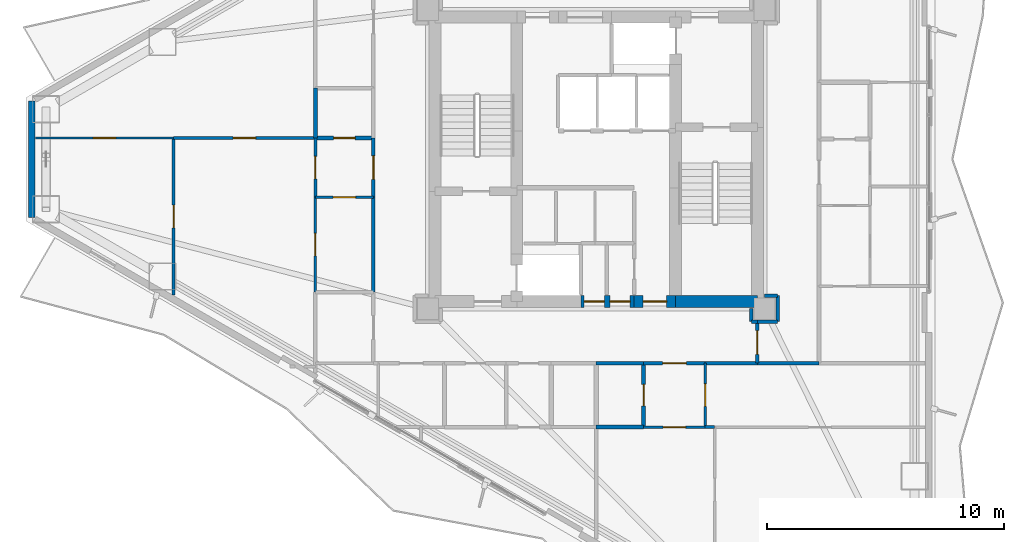
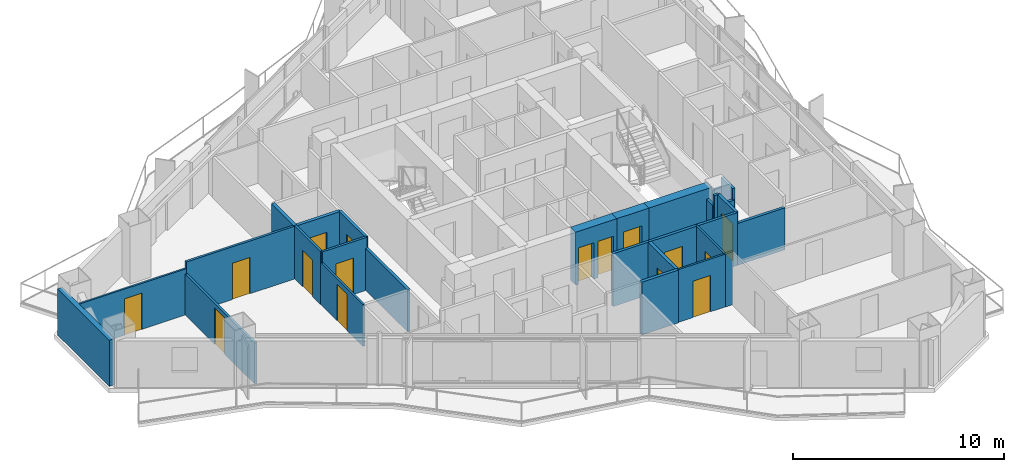
# One storey, part 16 of 23: 29 walls, 16 doors, 16 openings.
"""IFC4 building model written with IfcOpenShell, lengths in metres."""

from ifc_helpers import new_model, si_unit, direction, frame, frame_2d, origin, place, context, subcontext, project, spatial, rectangle, extrude, material, layer, layer_set, type_object, element, fill, save


model = new_model("IFC4")

# Units and contexts
model_context = context("Model", 3, precision=1e-05, world=origin(), true_north=direction((0.0, 1.0)))
body_context = subcontext(model_context, "Body", "Model", "MODEL_VIEW")
ifc_project = project(units=[si_unit("LENGTHUNIT", "METRE"), si_unit("AREAUNIT", "SQUARE_METRE"), si_unit("VOLUMEUNIT", "CUBIC_METRE"), si_unit("PLANEANGLEUNIT", "RADIAN"), si_unit("MASSUNIT", "GRAM", prefix="KILO")], contexts=[model_context])

# Site, building, storey
site_placement = place(None, origin())
site = spatial("IfcSite", under=ifc_project, at=site_placement, CompositionType="ELEMENT")
building_placement = place(site_placement, origin())
building = spatial("IfcBuilding", under=site, at=building_placement, Name="Mersakhor Tower and Convention Hall", CompositionType="ELEMENT")
storey_placement = place(building_placement, frame((0.0, 0.0, 73.5)))
storey = spatial("IfcBuildingStorey", under=building, at=storey_placement, Name="L19", CompositionType="ELEMENT", Elevation=73.5)

# Wall
ifc_material_1 = material(Name="Precast concrete C45/55", Category="concrete")
ifc_layer_1 = layer(ifc_material_1, 0.27490234375)
ifc_layer_set_1 = layer_set([ifc_layer_1], Name="Precast concrete C45/55")
wall_type_1 = type_object("IfcWallType", Name="WL-EXT-275", PredefinedType="SOLIDWALL", material=ifc_layer_set_1)
wall_1_placement = place(storey_placement, frame((5.186767578125, 24.292724609375, 0.0), z_axis=(0.0, 0.0, 1.0), x_axis=(0.0, 1.0, 0.0)))
element("IfcWall", 1, at=wall_1_placement, inside=storey, type_object=wall_type_1, Name="L19 Chamfer Braced Spandrel Wall C3", PredefinedType="SOLIDWALL", context=body_context, shape_type="SweptSolid", body=[
    extrude(rectangle(XDim=4.91455078125, YDim=0.27490234375, at=frame_2d((2.457275390625, 0.0))), origin(), (0.0, 0.0, 1.0), 2.669921875),
])

# Wall, opening, door
ifc_material_2 = material(Name="Moisture-resistant acoustic drywall studwork", Category="other")
ifc_layer_2 = layer(ifc_material_2, 0.175048828125)
ifc_layer_set_2 = layer_set([ifc_layer_2], Name="Moisture-resistant acoustic drywall studwork")
wall_type_2 = type_object("IfcWallType", Name="WL-PLM-175", PredefinedType="PLUMBINGWALL", material=ifc_layer_set_2)
wall_2_placement = place(storey_placement, frame((31.0, 15.449951171875, 0.0), z_axis=(0.0, 0.0, 1.0), x_axis=(0.0, 1.0, 0.0)))
wall_2 = element("IfcWall", 2, at=wall_2_placement, inside=storey, type_object=wall_type_2, Name="L19 Interior Partition Wall P-071", PredefinedType="PLUMBINGWALL", context=body_context, shape_type="SweptSolid", body=[
    extrude(rectangle(XDim=2.699951171875, YDim=0.175048828125, at=frame_2d((1.35009765625, 0.0))), origin(), (0.0, 0.0, 1.0), 3.050048828125),
])
opening_1_placement = place(wall_2_placement, frame((0.89990234375, 0.0, 0.0)))
opening_1 = element("IfcOpeningElement", 3, at=opening_1_placement, cuts=wall_2, Name="Opening WD-01", PredefinedType="OPENING", context=body_context, shape_type="SweptSolid", body=[
    extrude(rectangle(XDim=0.89990234375, YDim=2.10009765625, at=frame_2d((0.449951171875, 1.050048828125))), frame((0.0, 0.097412109375, 0.0), z_axis=(0.0, -1.0, 0.0), x_axis=(1.0, 0.0, 0.0)), (0.0, 0.0, 1.0), 0.195068359375),
])
ifc_material_3 = material(Name="Solid-core hardwood leaf in painted steel frame", Category="steel")
door_type_1 = type_object("IfcDoorType", Name="DR-INT-WET-090x210", OperationType="NOTDEFINED", PredefinedType="DOOR", material=ifc_material_3)
door_1_placement = place(opening_1_placement, origin())
door_1 = element("IfcDoor", 4, at=door_1_placement, inside=storey, type_object=door_type_1, Name="L19 L19 Flat S3 Apartment Hall to L19 Flat S3 Bathroom Door", OperationType="SINGLE_SWING_RIGHT", OverallHeight=2.10009765625, OverallWidth=0.89990234375, PredefinedType="DOOR", context=body_context, shape_type="SweptSolid", body=[
    extrude(rectangle(XDim=0.89990234375, YDim=2.10009765625, at=frame_2d((0.449951171875, 1.050048828125))), frame((0.0, 0.02490234375, 0.0), z_axis=(0.0, -1.0, 0.0), x_axis=(1.0, 0.0, 0.0)), (0.0, 0.0, 1.0), 0.050048828125),
])
fill(opening_1, door_1)

wall_3_placement = place(storey_placement, frame((17.14990234375, 27.64990234375, 0.0), z_axis=(0.0, 0.0, 1.0), x_axis=(1.0, 0.0, 0.0)))
wall_3 = element("IfcWall", 5, at=wall_3_placement, inside=storey, type_object=wall_type_2, Name="L19 Interior Partition Wall P-074", PredefinedType="PLUMBINGWALL", context=body_context, shape_type="SweptSolid", body=[
    extrude(rectangle(XDim=2.4501953125, YDim=0.175048828125, at=frame_2d((1.22509765625, 0.0))), origin(), (0.0, 0.0, 1.0), 3.050048828125),
])
opening_2_placement = place(wall_3_placement, frame((0.77490234375, 0.0, 0.0)))
opening_2 = element("IfcOpeningElement", 6, at=opening_2_placement, cuts=wall_3, Name="Opening WD-01", PredefinedType="OPENING", context=body_context, shape_type="SweptSolid", body=[
    extrude(rectangle(XDim=0.89990234375, YDim=2.10009765625, at=frame_2d((0.449951171875, 1.050048828125))), frame((0.0, 0.097412109375, 0.0), z_axis=(0.0, -1.0, 0.0), x_axis=(1.0, 0.0, 0.0)), (0.0, 0.0, 1.0), 0.195068359375),
])
door_2_placement = place(opening_2_placement, origin())
door_2 = element("IfcDoor", 7, at=door_2_placement, inside=storey, type_object=door_type_1, Name="L19 L19 Flat W4 Apartment Hall to L19 Flat W4 Bathroom Door", OperationType="SINGLE_SWING_LEFT", OverallHeight=2.10009765625, OverallWidth=0.89990234375, PredefinedType="DOOR", context=body_context, shape_type="SweptSolid", body=[
    extrude(rectangle(XDim=0.89990234375, YDim=2.10009765625, at=frame_2d((0.449951171875, 1.050048828125))), frame((0.0, 0.02490234375, 0.0), z_axis=(0.0, -1.0, 0.0), x_axis=(1.0, 0.0, 0.0)), (0.0, 0.0, 1.0), 0.050048828125),
])
fill(opening_2, door_2)

# Walls
wall_4_placement = place(storey_placement, frame((31.0, 15.449951171875, 0.0), z_axis=(0.0, 0.0, 1.0), x_axis=(-1.0, 0.0, 0.0)))
element("IfcWall", 8, at=wall_4_placement, inside=storey, type_object=wall_type_2, Name="L19 Interior Partition Wall P-089", PredefinedType="PLUMBINGWALL", context=body_context, shape_type="SweptSolid", body=[
    extrude(rectangle(XDim=2.0, YDim=0.175048828125, at=frame_2d((1.0, 0.0))), origin(), (0.0, 0.0, 1.0), 3.050048828125),
])
wall_5_placement = place(storey_placement, frame((17.14990234375, 27.64990234375, 0.0), z_axis=(0.0, 0.0, 1.0), x_axis=(0.0, 1.0, 0.0)))
element("IfcWall", 9, at=wall_5_placement, inside=storey, type_object=wall_type_2, Name="L19 Interior Partition Wall P-094", PredefinedType="PLUMBINGWALL", context=body_context, shape_type="SweptSolid", body=[
    extrude(rectangle(XDim=2.10009765625, YDim=0.175048828125, at=frame_2d((1.050048828125, 0.0))), origin(), (0.0, 0.0, 1.0), 3.050048828125),
])

# Wall, opening, door
ifc_material_4 = material(Name="Lightweight gypsum partition", Category="other")
ifc_layer_3 = layer(ifc_material_4, 0.10009765625)
ifc_layer_set_3 = layer_set([ifc_layer_3], Name="Lightweight gypsum partition")
wall_type_3 = type_object("IfcWallType", Name="WL-PRT-100", PredefinedType="PARTITIONING", material=ifc_layer_set_3)
wall_6_placement = place(storey_placement, frame((33.60009765625, 15.449951171875, 0.0), z_axis=(0.0, 0.0, 1.0), x_axis=(-1.0, 0.0, 0.0)))
wall_6 = element("IfcWall", 10, at=wall_6_placement, inside=storey, type_object=wall_type_3, Name="L19 Interior Partition Wall P-070", PredefinedType="PARTITIONING", context=body_context, shape_type="SweptSolid", body=[
    extrude(rectangle(XDim=2.60009765625, YDim=0.10009765625, at=frame_2d((1.300048828125, 0.0))), origin(), (0.0, 0.0, 1.0), 3.050048828125),
])
opening_3_placement = place(wall_6_placement, frame((0.824951171875, 0.0, 0.0)))
opening_3 = element("IfcOpeningElement", 11, at=opening_3_placement, cuts=wall_6, Name="Opening RD-01", PredefinedType="OPENING", context=body_context, shape_type="SweptSolid", body=[
    extrude(rectangle(XDim=0.949951171875, YDim=2.10009765625, at=frame_2d((0.47509765625, 1.050048828125))), frame((0.0, 0.06005859375, 0.0), z_axis=(0.0, -1.0, 0.0), x_axis=(1.0, 0.0, 0.0)), (0.0, 0.0, 1.0), 0.1201171875),
])
ifc_material_5 = material(Name="Solid-core hardwood leaf in painted steel frame", Category="steel")
door_type_2 = type_object("IfcDoorType", Name="DR-INT-RM-095x210", OperationType="NOTDEFINED", PredefinedType="DOOR", material=ifc_material_5)
door_3_placement = place(opening_3_placement, origin())
door_3 = element("IfcDoor", 12, at=door_3_placement, inside=storey, type_object=door_type_2, Name="L19 L19 Flat S3 Apartment Hall to L19 Flat S3 Living and Dining Room Door", OperationType="SINGLE_SWING_RIGHT", OverallHeight=2.10009765625, OverallWidth=0.949951171875, PredefinedType="DOOR", context=body_context, shape_type="SweptSolid", body=[
    extrude(rectangle(XDim=0.949951171875, YDim=2.10009765625, at=frame_2d((0.47509765625, 1.050048828125))), frame((0.0, 0.02490234375, 0.0), z_axis=(0.0, -1.0, 0.0), x_axis=(1.0, 0.0, 0.0)), (0.0, 0.0, 1.0), 0.050048828125),
])
fill(opening_3, door_3)

wall_7_placement = place(storey_placement, frame((33.60009765625, 18.14990234375, 0.0), z_axis=(0.0, 0.0, 1.0), x_axis=(0.0, -1.0, 0.0)))
wall_7 = element("IfcWall", 13, at=wall_7_placement, inside=storey, type_object=wall_type_3, Name="L19 Interior Partition Wall P-072", PredefinedType="PARTITIONING", context=body_context, shape_type="SweptSolid", body=[
    extrude(rectangle(XDim=2.699951171875, YDim=0.10009765625, at=frame_2d((1.35009765625, 0.0))), origin(), (0.0, 0.0, 1.0), 3.050048828125),
])
opening_4_placement = place(wall_7_placement, frame((0.875, 0.0, 0.0)))
opening_4 = element("IfcOpeningElement", 14, at=opening_4_placement, cuts=wall_7, Name="Opening RD-01", PredefinedType="OPENING", context=body_context, shape_type="SweptSolid", body=[
    extrude(rectangle(XDim=0.949951171875, YDim=2.10009765625, at=frame_2d((0.47509765625, 1.050048828125))), frame((0.0, 0.06005859375, 0.0), z_axis=(0.0, -1.0, 0.0), x_axis=(1.0, 0.0, 0.0)), (0.0, 0.0, 1.0), 0.1201171875),
])
door_4_placement = place(opening_4_placement, origin())
door_4 = element("IfcDoor", 15, at=door_4_placement, inside=storey, type_object=door_type_2, Name="L19 L19 Flat S3 Apartment Hall to L19 Flat S3 Kitchen Door", OperationType="SINGLE_SWING_LEFT", OverallHeight=2.10009765625, OverallWidth=0.949951171875, PredefinedType="DOOR", context=body_context, shape_type="SweptSolid", body=[
    extrude(rectangle(XDim=0.949951171875, YDim=2.10009765625, at=frame_2d((0.47509765625, 1.050048828125))), frame((0.0, 0.02490234375, 0.0), z_axis=(0.0, -1.0, 0.0), x_axis=(1.0, 0.0, 0.0)), (0.0, 0.0, 1.0), 0.050048828125),
])
fill(opening_4, door_4)

wall_8_placement = place(storey_placement, frame((17.14990234375, 21.14990234375, 0.0), z_axis=(0.0, 0.0, 1.0), x_axis=(0.0, 1.0, 0.0)))
wall_8 = element("IfcWall", 16, at=wall_8_placement, inside=storey, type_object=wall_type_3, Name="L19 Interior Partition Wall P-096", PredefinedType="PARTITIONING", context=body_context, shape_type="SweptSolid", body=[
    extrude(rectangle(XDim=4.0, YDim=0.10009765625, at=frame_2d((2.0, 0.0))), origin(), (0.0, 0.0, 1.0), 2.4228515625),
])
opening_5_placement = place(wall_8_placement, frame((1.52490234375, 0.0, 0.0)))
opening_5 = element("IfcOpeningElement", 17, at=opening_5_placement, cuts=wall_8, Name="Opening RD-01", PredefinedType="OPENING", context=body_context, shape_type="SweptSolid", body=[
    extrude(rectangle(XDim=0.949951171875, YDim=2.10009765625, at=frame_2d((0.47509765625, 1.050048828125))), frame((0.0, 0.06005859375, 0.0), z_axis=(0.0, -1.0, 0.0), x_axis=(1.0, 0.0, 0.0)), (0.0, 0.0, 1.0), 0.1201171875),
])
door_5_placement = place(opening_5_placement, origin())
door_5 = element("IfcDoor", 18, at=door_5_placement, inside=storey, type_object=door_type_2, Name="L19 L19 Flat W4 Kitchen to L19 Flat W4 Dining Room Door", OperationType="SINGLE_SWING_RIGHT", OverallHeight=2.10009765625, OverallWidth=0.949951171875, PredefinedType="DOOR", context=body_context, shape_type="SweptSolid", body=[
    extrude(rectangle(XDim=0.949951171875, YDim=2.10009765625, at=frame_2d((0.47509765625, 1.050048828125))), frame((0.0, 0.02490234375, 0.0), z_axis=(0.0, -1.0, 0.0), x_axis=(1.0, 0.0, 0.0)), (0.0, 0.0, 1.0), 0.050048828125),
])
fill(opening_5, door_5)

wall_9_placement = place(storey_placement, frame((11.169921875, 27.64990234375, 0.0), z_axis=(0.0, 0.0, 1.0), x_axis=(-1.0, 0.0, 0.0)))
wall_9 = element("IfcWall", 19, at=wall_9_placement, inside=storey, type_object=wall_type_3, Name="L19 Interior Partition Wall P-134", PredefinedType="PARTITIONING", context=body_context, shape_type="SweptSolid", body=[
    extrude(rectangle(XDim=5.82177734375, YDim=0.10009765625, at=frame_2d((2.910888671875, 0.0))), origin(), (0.0, 0.0, 1.0), 2.660400390625),
])
opening_6_placement = place(wall_9_placement, frame((2.435791015625, 0.0, 0.0)))
opening_6 = element("IfcOpeningElement", 20, at=opening_6_placement, cuts=wall_9, Name="Opening RD-01", PredefinedType="OPENING", context=body_context, shape_type="SweptSolid", body=[
    extrude(rectangle(XDim=0.949951171875, YDim=2.10009765625, at=frame_2d((0.47509765625, 1.050048828125))), frame((0.0, 0.06005859375, 0.0), z_axis=(0.0, -1.0, 0.0), x_axis=(1.0, 0.0, 0.0)), (0.0, 0.0, 1.0), 0.1201171875),
])
door_6_placement = place(opening_6_placement, origin())
door_6 = element("IfcDoor", 21, at=door_6_placement, inside=storey, type_object=door_type_2, Name="L19 L19 Flat W4 Living and Dining Room to L19 Flat W4 Master Bedroom Door", OperationType="SINGLE_SWING_RIGHT", OverallHeight=2.10009765625, OverallWidth=0.949951171875, PredefinedType="DOOR", context=body_context, shape_type="SweptSolid", body=[
    extrude(rectangle(XDim=0.949951171875, YDim=2.10009765625, at=frame_2d((0.47509765625, 1.050048828125))), frame((0.0, 0.02490234375, 0.0), z_axis=(0.0, -1.0, 0.0), x_axis=(1.0, 0.0, 0.0)), (0.0, 0.0, 1.0), 0.050048828125),
])
fill(opening_6, door_6)

ifc_material_6 = material(Name="Gypsum board acoustic partition", Category="other")
ifc_layer_4 = layer(ifc_material_6, 0.125)
ifc_layer_set_4 = layer_set([ifc_layer_4], Name="Gypsum board acoustic partition")
wall_type_4 = type_object("IfcWallType", Name="WL-PRT-125", PredefinedType="PARTITIONING", material=ifc_layer_set_4)
wall_10_placement = place(storey_placement, frame((17.14990234375, 25.14990234375, 0.0), z_axis=(0.0, 0.0, 1.0), x_axis=(0.0, 1.0, 0.0)))
wall_10 = element("IfcWall", 22, at=wall_10_placement, inside=storey, type_object=wall_type_4, Name="L19 Interior Partition Wall P-073", PredefinedType="PARTITIONING", context=body_context, shape_type="SweptSolid", body=[
    extrude(rectangle(XDim=2.5, YDim=0.125, at=frame_2d((1.25, 0.0))), origin(), (0.0, 0.0, 1.0), 3.050048828125),
])
opening_7_placement = place(wall_10_placement, frame((0.77490234375, 0.0, 0.0)))
opening_7 = element("IfcOpeningElement", 23, at=opening_7_placement, cuts=wall_10, Name="Opening RD-01", PredefinedType="OPENING", context=body_context, shape_type="SweptSolid", body=[
    extrude(rectangle(XDim=0.949951171875, YDim=2.10009765625, at=frame_2d((0.47509765625, 1.050048828125))), frame((0.0, 0.072509765625, 0.0), z_axis=(0.0, -1.0, 0.0), x_axis=(1.0, 0.0, 0.0)), (0.0, 0.0, 1.0), 0.14501953125),
])
door_7_placement = place(opening_7_placement, origin())
door_7 = element("IfcDoor", 24, at=door_7_placement, inside=storey, type_object=door_type_2, Name="L19 L19 Flat W4 Apartment Hall to L19 Flat W4 Dining Room Door", OperationType="SINGLE_SWING_LEFT", OverallHeight=2.10009765625, OverallWidth=0.949951171875, PredefinedType="DOOR", context=body_context, shape_type="SweptSolid", body=[
    extrude(rectangle(XDim=0.949951171875, YDim=2.10009765625, at=frame_2d((0.47509765625, 1.050048828125))), frame((0.0, 0.02490234375, 0.0), z_axis=(0.0, -1.0, 0.0), x_axis=(1.0, 0.0, 0.0)), (0.0, 0.0, 1.0), 0.050048828125),
])
fill(opening_7, door_7)

wall_11_placement = place(storey_placement, frame((19.60009765625, 25.14990234375, 0.0), z_axis=(0.0, 0.0, 1.0), x_axis=(-1.0, 0.0, 0.0)))
wall_11 = element("IfcWall", 25, at=wall_11_placement, inside=storey, type_object=wall_type_4, Name="L19 Interior Partition Wall P-075", PredefinedType="PARTITIONING", context=body_context, shape_type="SweptSolid", body=[
    extrude(rectangle(XDim=2.4501953125, YDim=0.125, at=frame_2d((1.22509765625, 0.0))), origin(), (0.0, 0.0, 1.0), 3.050048828125),
])
opening_8_placement = place(wall_11_placement, frame((0.75, 0.0, 0.0)))
opening_8 = element("IfcOpeningElement", 26, at=opening_8_placement, cuts=wall_11, Name="Opening RD-01", PredefinedType="OPENING", context=body_context, shape_type="SweptSolid", body=[
    extrude(rectangle(XDim=0.949951171875, YDim=2.10009765625, at=frame_2d((0.47509765625, 1.050048828125))), frame((0.0, 0.072509765625, 0.0), z_axis=(0.0, -1.0, 0.0), x_axis=(1.0, 0.0, 0.0)), (0.0, 0.0, 1.0), 0.14501953125),
])
door_8_placement = place(opening_8_placement, origin())
door_8 = element("IfcDoor", 27, at=door_8_placement, inside=storey, type_object=door_type_2, Name="L19 L19 Flat W4 Apartment Hall to L19 Flat W4 Kitchen Door", OperationType="SINGLE_SWING_RIGHT", OverallHeight=2.10009765625, OverallWidth=0.949951171875, PredefinedType="DOOR", context=body_context, shape_type="SweptSolid", body=[
    extrude(rectangle(XDim=0.949951171875, YDim=2.10009765625, at=frame_2d((0.47509765625, 1.050048828125))), frame((0.0, 0.02490234375, 0.0), z_axis=(0.0, -1.0, 0.0), x_axis=(1.0, 0.0, 0.0)), (0.0, 0.0, 1.0), 0.050048828125),
])
fill(opening_8, door_8)

# Wall
wall_12_placement = place(storey_placement, frame((34.0, 15.449951171875, 0.0), z_axis=(0.0, 0.0, 1.0), x_axis=(-1.0, 0.0, 0.0)))
element("IfcWall", 28, at=wall_12_placement, inside=storey, type_object=wall_type_4, Name="L19 Interior Partition Wall P-093", PredefinedType="PARTITIONING", context=body_context, shape_type="SweptSolid", body=[
    extrude(rectangle(XDim=0.39990234375, YDim=0.125, at=frame_2d((0.199951171875, 0.0))), origin(), (0.0, 0.0, 1.0), 3.050048828125),
])

# Wall, opening, door
wall_13_placement = place(storey_placement, frame((17.14990234375, 27.64990234375, 0.0), z_axis=(0.0, 0.0, 1.0), x_axis=(-1.0, 0.0, 0.0)))
wall_13 = element("IfcWall", 29, at=wall_13_placement, inside=storey, type_object=wall_type_4, Name="L19 Interior Partition Wall P-133", PredefinedType="PARTITIONING", context=body_context, shape_type="SweptSolid", body=[
    extrude(rectangle(XDim=5.97998046875, YDim=0.125, at=frame_2d((2.989990234375, 0.0))), origin(), (0.0, 0.0, 1.0), 3.050048828125),
])
opening_9_placement = place(wall_13_placement, frame((2.514892578125, 0.0, 0.0)))
opening_9 = element("IfcOpeningElement", 30, at=opening_9_placement, cuts=wall_13, Name="Opening RD-01", PredefinedType="OPENING", context=body_context, shape_type="SweptSolid", body=[
    extrude(rectangle(XDim=0.949951171875, YDim=2.10009765625, at=frame_2d((0.47509765625, 1.050048828125))), frame((0.0, 0.072509765625, 0.0), z_axis=(0.0, -1.0, 0.0), x_axis=(1.0, 0.0, 0.0)), (0.0, 0.0, 1.0), 0.14501953125),
])
door_9_placement = place(opening_9_placement, origin())
door_9 = element("IfcDoor", 31, at=door_9_placement, inside=storey, type_object=door_type_2, Name="L19 L19 Flat W4 Living and Dining Room to L19 Flat W4 Dining Room Door", OperationType="SINGLE_SWING_LEFT", OverallHeight=2.10009765625, OverallWidth=0.949951171875, PredefinedType="DOOR", context=body_context, shape_type="SweptSolid", body=[
    extrude(rectangle(XDim=0.949951171875, YDim=2.10009765625, at=frame_2d((0.47509765625, 1.050048828125))), frame((0.0, 0.02490234375, 0.0), z_axis=(0.0, -1.0, 0.0), x_axis=(1.0, 0.0, 0.0)), (0.0, 0.0, 1.0), 0.050048828125),
])
fill(opening_9, door_9)

wall_14_placement = place(storey_placement, frame((11.169921875, 27.64990234375, 0.0), z_axis=(0.0, 0.0, 1.0), x_axis=(0.0, -1.0, 0.0)))
wall_14 = element("IfcWall", 32, at=wall_14_placement, inside=storey, type_object=wall_type_4, Name="L19 Interior Partition Wall P-135", PredefinedType="PARTITIONING", context=body_context, shape_type="SweptSolid", body=[
    extrude(rectangle(XDim=6.625, YDim=0.125, at=frame_2d((3.3125, 0.0))), origin(), (0.0, 0.0, 1.0), 2.364990234375),
])
opening_10_placement = place(wall_14_placement, frame((2.837646484375, 0.0, 0.0)))
opening_10 = element("IfcOpeningElement", 33, at=opening_10_placement, cuts=wall_14, Name="Opening RD-01", PredefinedType="OPENING", context=body_context, shape_type="SweptSolid", body=[
    extrude(rectangle(XDim=0.949951171875, YDim=2.10009765625, at=frame_2d((0.47509765625, 1.050048828125))), frame((0.0, 0.072509765625, 0.0), z_axis=(0.0, -1.0, 0.0), x_axis=(1.0, 0.0, 0.0)), (0.0, 0.0, 1.0), 0.14501953125),
])
door_10_placement = place(opening_10_placement, origin())
door_10 = element("IfcDoor", 34, at=door_10_placement, inside=storey, type_object=door_type_2, Name="L19 L19 Flat W4 Master Bedroom to L19 Flat W4 Dining Room Door", OperationType="SINGLE_SWING_RIGHT", OverallHeight=2.10009765625, OverallWidth=0.949951171875, PredefinedType="DOOR", context=body_context, shape_type="SweptSolid", body=[
    extrude(rectangle(XDim=0.949951171875, YDim=2.10009765625, at=frame_2d((0.47509765625, 1.050048828125))), frame((0.0, 0.02490234375, 0.0), z_axis=(0.0, -1.0, 0.0), x_axis=(1.0, 0.0, 0.0)), (0.0, 0.0, 1.0), 0.050048828125),
])
fill(opening_10, door_10)

# Walls
ifc_material_7 = material(Name="Fire-rated gypsum board stud partition", Category="other")
ifc_layer_5 = layer(ifc_material_7, 0.14990234375)
ifc_layer_set_5 = layer_set([ifc_layer_5], Name="Fire-rated gypsum board stud partition")
wall_type_5 = type_object("IfcWallType", Name="WL-PRT-150", PredefinedType="PARTITIONING", material=ifc_layer_set_5)
wall_15_placement = place(storey_placement, frame((35.550048828125, 20.449951171875, 0.0), z_axis=(0.0, 0.0, 1.0), x_axis=(0.0, -1.0, 0.0)))
element("IfcWall", 35, at=wall_15_placement, inside=storey, type_object=wall_type_5, Name="L19 Interior Partition Wall P-021", PredefinedType="PARTITIONING", context=body_context, shape_type="SweptSolid", body=[
    extrude(rectangle(XDim=0.550048828125, YDim=0.14990234375, at=frame_2d((0.27490234375, 0.0))), origin(), (0.0, 0.0, 1.0), 2.498291015625),
])
wall_16_placement = place(storey_placement, frame((35.550048828125, 19.89990234375, 0.0), z_axis=(0.0, 0.0, 1.0), x_axis=(1.0, 0.0, 0.0)))
element("IfcWall", 36, at=wall_16_placement, inside=storey, type_object=wall_type_5, Name="L19 Interior Partition Wall P-022", PredefinedType="PARTITIONING", context=body_context, shape_type="SweptSolid", body=[
    extrude(rectangle(XDim=0.25, YDim=0.14990234375, at=frame_2d((0.125, 0.0))), origin(), (0.0, 0.0, 1.0), 3.050048828125),
])

# Wall, opening, door
wall_17_placement = place(storey_placement, frame((35.800048828125, 19.89990234375, 0.0), z_axis=(0.0, 0.0, 1.0), x_axis=(0.0, -1.0, 0.0)))
wall_17 = element("IfcWall", 37, at=wall_17_placement, inside=storey, type_object=wall_type_5, Name="L19 Interior Partition Wall P-023", PredefinedType="PARTITIONING", context=body_context, shape_type="SweptSolid", body=[
    extrude(rectangle(XDim=1.75, YDim=0.14990234375, at=frame_2d((0.875, 0.0))), origin(), (0.0, 0.0, 1.0), 3.050048828125),
])
opening_11_placement = place(wall_17_placement, frame((0.375, 0.0, 0.0)))
opening_11 = element("IfcOpeningElement", 38, at=opening_11_placement, cuts=wall_17, Name="Opening FD-01", PredefinedType="OPENING", context=body_context, shape_type="SweptSolid", body=[
    extrude(rectangle(XDim=1.0, YDim=2.14990234375, at=frame_2d((0.5, 1.074951171875))), frame((0.0, 0.0849609375, 0.0), z_axis=(0.0, -1.0, 0.0), x_axis=(1.0, 0.0, 0.0)), (0.0, 0.0, 1.0), 0.169921875),
])
ifc_material_8 = material(Name="Fire-rated hardwood leaf and painted steel frame", Category="steel")
door_type_3 = type_object("IfcDoorType", Name="DR-INT-FLT-100x215", OperationType="NOTDEFINED", PredefinedType="DOOR", material=ifc_material_8)
door_11_placement = place(opening_11_placement, origin())
door_11 = element("IfcDoor", 39, at=door_11_placement, inside=storey, type_object=door_type_3, Name="L19 Ring Corridor Fire Door", OperationType="SINGLE_SWING_RIGHT", OverallHeight=2.14990234375, OverallWidth=1.0, PredefinedType="DOOR", context=body_context, shape_type="SweptSolid", body=[
    extrude(rectangle(XDim=1.0, YDim=2.14990234375, at=frame_2d((0.5, 1.074951171875))), frame((0.0, 0.02490234375, 0.0), z_axis=(0.0, -1.0, 0.0), x_axis=(1.0, 0.0, 0.0)), (0.0, 0.0, 1.0), 0.050048828125),
])
fill(opening_11, door_11)

# Wall
wall_18_placement = place(storey_placement, frame((35.800048828125, 18.14990234375, 0.0), z_axis=(0.0, 0.0, 1.0), x_axis=(-1.0, 0.0, 0.0)))
element("IfcWall", 40, at=wall_18_placement, inside=storey, type_object=wall_type_5, Name="L19 Interior Partition Wall P-024", PredefinedType="PARTITIONING", context=body_context, shape_type="SweptSolid", body=[
    extrude(rectangle(XDim=2.199951171875, YDim=0.14990234375, at=frame_2d((1.10009765625, 0.0))), origin(), (0.0, 0.0, 1.0), 3.050048828125),
])

# Wall, opening, door
wall_19_placement = place(storey_placement, frame((33.60009765625, 18.14990234375, 0.0), z_axis=(0.0, 0.0, 1.0), x_axis=(-1.0, 0.0, 0.0)))
wall_19 = element("IfcWall", 41, at=wall_19_placement, inside=storey, type_object=wall_type_5, Name="L19 Interior Partition Wall P-025", PredefinedType="PARTITIONING", context=body_context, shape_type="SweptSolid", body=[
    extrude(rectangle(XDim=2.60009765625, YDim=0.14990234375, at=frame_2d((1.300048828125, 0.0))), origin(), (0.0, 0.0, 1.0), 3.050048828125),
])
opening_12_placement = place(wall_19_placement, frame((0.800048828125, 0.0, 0.0)))
opening_12 = element("IfcOpeningElement", 42, at=opening_12_placement, cuts=wall_19, Name="Opening FD-01", PredefinedType="OPENING", context=body_context, shape_type="SweptSolid", body=[
    extrude(rectangle(XDim=1.0, YDim=2.14990234375, at=frame_2d((0.5, 1.074951171875))), frame((0.0, 0.0849609375, 0.0), z_axis=(0.0, -1.0, 0.0), x_axis=(1.0, 0.0, 0.0)), (0.0, 0.0, 1.0), 0.169921875),
])
door_12_placement = place(opening_12_placement, origin())
door_12 = element("IfcDoor", 43, at=door_12_placement, inside=storey, type_object=door_type_3, Name="L19 Apartment Entrance Door (Residential Ring Corridor to L19 Flat S3 Apartment Hall)", OperationType="SINGLE_SWING_LEFT", OverallHeight=2.14990234375, OverallWidth=1.0, PredefinedType="DOOR", context=body_context, shape_type="SweptSolid", body=[
    extrude(rectangle(XDim=1.0, YDim=2.14990234375, at=frame_2d((0.5, 1.074951171875))), frame((0.0, 0.02490234375, 0.0), z_axis=(0.0, -1.0, 0.0), x_axis=(1.0, 0.0, 0.0)), (0.0, 0.0, 1.0), 0.050048828125),
])
fill(opening_12, door_12)

# Walls
wall_20_placement = place(storey_placement, frame((31.0, 18.14990234375, 0.0), z_axis=(0.0, 0.0, 1.0), x_axis=(-1.0, 0.0, 0.0)))
element("IfcWall", 44, at=wall_20_placement, inside=storey, type_object=wall_type_5, Name="L19 Interior Partition Wall P-026", PredefinedType="PARTITIONING", context=body_context, shape_type="SweptSolid", body=[
    extrude(rectangle(XDim=2.0, YDim=0.14990234375, at=frame_2d((1.0, 0.0))), origin(), (0.0, 0.0, 1.0), 3.050048828125),
])
wall_21_placement = place(storey_placement, frame((19.60009765625, 21.14990234375, 0.0), z_axis=(0.0, 0.0, 1.0), x_axis=(0.0, 1.0, 0.0)))
element("IfcWall", 45, at=wall_21_placement, inside=storey, type_object=wall_type_5, Name="L19 Interior Partition Wall P-033", PredefinedType="PARTITIONING", context=body_context, shape_type="SweptSolid", body=[
    extrude(rectangle(XDim=4.0, YDim=0.14990234375, at=frame_2d((2.0, 0.0))), origin(), (0.0, 0.0, 1.0), 2.4228515625),
])

# Wall, opening, door
wall_22_placement = place(storey_placement, frame((19.60009765625, 25.14990234375, 0.0), z_axis=(0.0, 0.0, 1.0), x_axis=(0.0, 1.0, 0.0)))
wall_22 = element("IfcWall", 46, at=wall_22_placement, inside=storey, type_object=wall_type_5, Name="L19 Interior Partition Wall P-034", PredefinedType="PARTITIONING", context=body_context, shape_type="SweptSolid", body=[
    extrude(rectangle(XDim=2.5, YDim=0.14990234375, at=frame_2d((1.25, 0.0))), origin(), (0.0, 0.0, 1.0), 3.050048828125),
])
opening_13_placement = place(wall_22_placement, frame((0.75, 0.0, 0.0)))
opening_13 = element("IfcOpeningElement", 47, at=opening_13_placement, cuts=wall_22, Name="Opening FD-01", PredefinedType="OPENING", context=body_context, shape_type="SweptSolid", body=[
    extrude(rectangle(XDim=1.0, YDim=2.14990234375, at=frame_2d((0.5, 1.074951171875))), frame((0.0, 0.0849609375, 0.0), z_axis=(0.0, -1.0, 0.0), x_axis=(1.0, 0.0, 0.0)), (0.0, 0.0, 1.0), 0.169921875),
])
door_13_placement = place(opening_13_placement, origin())
door_13 = element("IfcDoor", 48, at=door_13_placement, inside=storey, type_object=door_type_3, Name="L19 Apartment Entrance Door (Residential Ring Corridor to L19 Flat W4 Apartment Hall)", OperationType="SINGLE_SWING_RIGHT", OverallHeight=2.14990234375, OverallWidth=1.0, PredefinedType="DOOR", context=body_context, shape_type="SweptSolid", body=[
    extrude(rectangle(XDim=1.0, YDim=2.14990234375, at=frame_2d((0.5, 1.074951171875))), frame((0.0, 0.02490234375, 0.0), z_axis=(0.0, -1.0, 0.0), x_axis=(1.0, 0.0, 0.0)), (0.0, 0.0, 1.0), 0.050048828125),
])
fill(opening_13, door_13)

# Walls
wall_23_placement = place(storey_placement, frame((36.64990234375, 21.0, 0.0), z_axis=(0.0, 0.0, 1.0), x_axis=(-1.0, 0.0, 0.0)))
element("IfcWall", 49, at=wall_23_placement, inside=storey, type_object=wall_type_5, Name="L19 Interior Partition Wall P-053", PredefinedType="PARTITIONING", context=body_context, shape_type="SweptSolid", body=[
    extrude(rectangle(XDim=0.5498046875, YDim=0.14990234375, at=frame_2d((0.27490234375, 0.0))), origin(), (0.0, 0.0, 1.0), 2.498291015625),
])
wall_24_placement = place(storey_placement, frame((38.39990234375, 18.14990234375, 0.0), z_axis=(0.0, 0.0, 1.0), x_axis=(-1.0, 0.0, 0.0)))
element("IfcWall", 50, at=wall_24_placement, inside=storey, type_object=wall_type_5, Name="L19 Interior Partition Wall P-063", PredefinedType="PARTITIONING", context=body_context, shape_type="SweptSolid", body=[
    extrude(rectangle(XDim=2.599853515625, YDim=0.14990234375, at=frame_2d((1.2998046875, 0.0))), origin(), (0.0, 0.0, 1.0), 2.4228515625),
])
wall_25_placement = place(storey_placement, frame((35.800048828125, 19.89990234375, 0.0), z_axis=(0.0, 0.0, 1.0), x_axis=(1.0, 0.0, 0.0)))
element("IfcWall", 51, at=wall_25_placement, inside=storey, type_object=wall_type_5, Name="L19 Interior Partition Wall P-064", PredefinedType="PARTITIONING", context=body_context, shape_type="SweptSolid", body=[
    extrude(rectangle(XDim=0.849853515625, YDim=0.14990234375, at=frame_2d((0.4248046875, 0.0))), origin(), (0.0, 0.0, 1.0), 2.4228515625),
])
wall_26_placement = place(storey_placement, frame((36.64990234375, 19.89990234375, 0.0), z_axis=(0.0, 0.0, 1.0), x_axis=(0.0, 1.0, 0.0)))
element("IfcWall", 52, at=wall_26_placement, inside=storey, type_object=wall_type_5, Name="L19 Interior Partition Wall P-065", PredefinedType="PARTITIONING", context=body_context, shape_type="SweptSolid", body=[
    extrude(rectangle(XDim=1.10009765625, YDim=0.14990234375, at=frame_2d((0.550048828125, 0.0))), origin(), (0.0, 0.0, 1.0), 3.050048828125),
])
ifc_material_9 = material(Name="Concrete C70/85", Category="concrete")
ifc_layer_6 = layer(ifc_material_9, 0.5)
ifc_layer_set_6 = layer_set([ifc_layer_6], Name="Concrete C70/85")
wall_type_6 = type_object("IfcWallType", Name="WL-SHR-500", PredefinedType="SHEAR", material=ifc_layer_set_6)
wall_27_placement = place(storey_placement, frame((35.800048828125, 20.75, 0.0), z_axis=(0.0, 0.0, 1.0), x_axis=(-1.0, 0.0, 0.0)))
element("IfcWall", 53, at=wall_27_placement, inside=storey, type_object=wall_type_6, Name="L19 Core Wall CW-S1", PredefinedType="SHEAR", context=body_context, shape_type="SweptSolid", body=[
    extrude(rectangle(XDim=3.449951171875, YDim=0.5, at=frame_2d((1.72509765625, 0.0))), origin(), (0.0, 0.0, 1.0), 3.050048828125),
])

# Wall, opening, door
wall_28_placement = place(storey_placement, frame((32.35009765625, 20.75, 0.0), z_axis=(0.0, 0.0, 1.0), x_axis=(-1.0, 0.0, 0.0)))
wall_28 = element("IfcWall", 54, at=wall_28_placement, inside=storey, type_object=wall_type_6, Name="L19 Core Wall CW-S2A", PredefinedType="SHEAR", context=body_context, shape_type="SweptSolid", body=[
    extrude(rectangle(XDim=1.75, YDim=0.5, at=frame_2d((0.875, 0.0))), origin(), (0.0, 0.0, 1.0), 3.050048828125),
])
opening_14_placement = place(wall_28_placement, frame((0.375, 0.0, 0.0)))
opening_14 = element("IfcOpeningElement", 55, at=opening_14_placement, cuts=wall_28, Name="Opening CFD-01", PredefinedType="OPENING", context=body_context, shape_type="SweptSolid", body=[
    extrude(rectangle(XDim=1.0, YDim=2.14990234375, at=frame_2d((0.5, 1.074951171875))), frame((0.0, 0.260009765625, 0.0), z_axis=(0.0, -1.0, 0.0), x_axis=(1.0, 0.0, 0.0)), (0.0, 0.0, 1.0), 0.52001953125),
])
ifc_material_10 = material(Name="Fire-rated hardwood leaf and painted steel frame", Category="steel")
door_type_4 = type_object("IfcDoorType", Name="DR-CORE-FD-100x215", OperationType="NOTDEFINED", PredefinedType="DOOR", material=ifc_material_10)
door_14_placement = place(opening_14_placement, origin())
door_14 = element("IfcDoor", 56, at=door_14_placement, inside=storey, type_object=door_type_4, Name="L19 Lift Lobby South Corridor Door", OperationType="SINGLE_SWING_RIGHT", OverallHeight=2.14990234375, OverallWidth=1.0, PredefinedType="DOOR", context=body_context, shape_type="SweptSolid", body=[
    extrude(rectangle(XDim=1.0, YDim=2.14990234375, at=frame_2d((0.5, 1.074951171875))), frame((0.0, 0.02490234375, 0.0), z_axis=(0.0, -1.0, 0.0), x_axis=(1.0, 0.0, 0.0)), (0.0, 0.0, 1.0), 0.050048828125),
])
fill(opening_14, door_14)

# Wall, openings, doors
wall_29_placement = place(storey_placement, frame((30.60009765625, 20.75, 0.0), z_axis=(0.0, 0.0, 1.0), x_axis=(-1.0, 0.0, 0.0)))
wall_29 = element("IfcWall", 57, at=wall_29_placement, inside=storey, type_object=wall_type_6, Name="L19 Core Wall CW-S2B", PredefinedType="SHEAR", context=body_context, shape_type="SweptSolid", body=[
    extrude(rectangle(XDim=2.25, YDim=0.5, at=frame_2d((1.125, 0.0))), origin(), (0.0, 0.0, 1.0), 3.050048828125),
])
opening_15_placement = place(wall_29_placement, frame((1.2548828125, 0.0, 0.0)))
opening_15 = element("IfcOpeningElement", 58, at=opening_15_placement, cuts=wall_29, Name="Opening SVD-01", PredefinedType="OPENING", context=body_context, shape_type="SweptSolid", body=[
    extrude(rectangle(XDim=0.85009765625, YDim=2.10009765625, at=frame_2d((0.425048828125, 1.050048828125))), frame((0.0, 0.260009765625, 0.0), z_axis=(0.0, -1.0, 0.0), x_axis=(1.0, 0.0, 0.0)), (0.0, 0.0, 1.0), 0.52001953125),
])
opening_16_placement = place(wall_29_placement, frame((0.169921875, 0.0, 0.0)))
opening_16 = element("IfcOpeningElement", 59, at=opening_16_placement, cuts=wall_29, Name="Opening SVD-01", PredefinedType="OPENING", context=body_context, shape_type="SweptSolid", body=[
    extrude(rectangle(XDim=0.85009765625, YDim=2.10009765625, at=frame_2d((0.425048828125, 1.050048828125))), frame((0.0, 0.260009765625, 0.0), z_axis=(0.0, -1.0, 0.0), x_axis=(1.0, 0.0, 0.0)), (0.0, 0.0, 1.0), 0.52001953125),
])
ifc_material_11 = material(Name="Fire-rated hardwood leaf and painted steel frame", Category="steel")
door_type_5 = type_object("IfcDoorType", Name="DR-INT-SVC-085x210", OperationType="NOTDEFINED", PredefinedType="DOOR", material=ifc_material_11)
door_15_placement = place(opening_15_placement, origin())
door_15 = element("IfcDoor", 60, at=door_15_placement, inside=storey, type_object=door_type_5, Name="L19 Residential Ring Corridor to Sub-Metering Switch Room Door", OperationType="SINGLE_SWING_LEFT", OverallHeight=2.10009765625, OverallWidth=0.85009765625, PredefinedType="DOOR", context=body_context, shape_type="SweptSolid", body=[
    extrude(rectangle(XDim=0.85009765625, YDim=2.10009765625, at=frame_2d((0.425048828125, 1.050048828125))), frame((0.0, 0.02490234375, 0.0), z_axis=(0.0, -1.0, 0.0), x_axis=(1.0, 0.0, 0.0)), (0.0, 0.0, 1.0), 0.050048828125),
])
fill(opening_15, door_15)
door_16_placement = place(opening_16_placement, origin())
door_16 = element("IfcDoor", 61, at=door_16_placement, inside=storey, type_object=door_type_5, Name="L19 Residential Ring Corridor to Core Maintenance Store Room Door", OperationType="SINGLE_SWING_RIGHT", OverallHeight=2.10009765625, OverallWidth=0.85009765625, PredefinedType="DOOR", context=body_context, shape_type="SweptSolid", body=[
    extrude(rectangle(XDim=0.85009765625, YDim=2.10009765625, at=frame_2d((0.425048828125, 1.050048828125))), frame((0.0, 0.02490234375, 0.0), z_axis=(0.0, -1.0, 0.0), x_axis=(1.0, 0.0, 0.0)), (0.0, 0.0, 1.0), 0.050048828125),
])
fill(opening_16, door_16)

save(model, "model.ifc")
